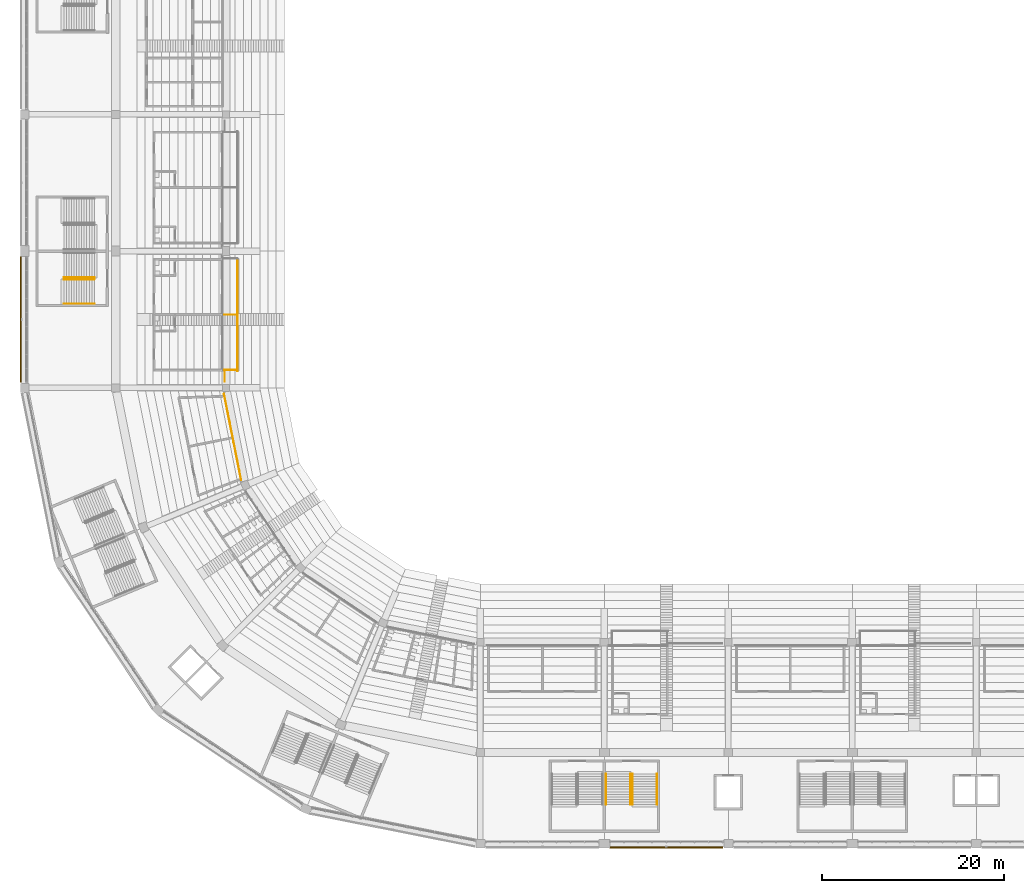
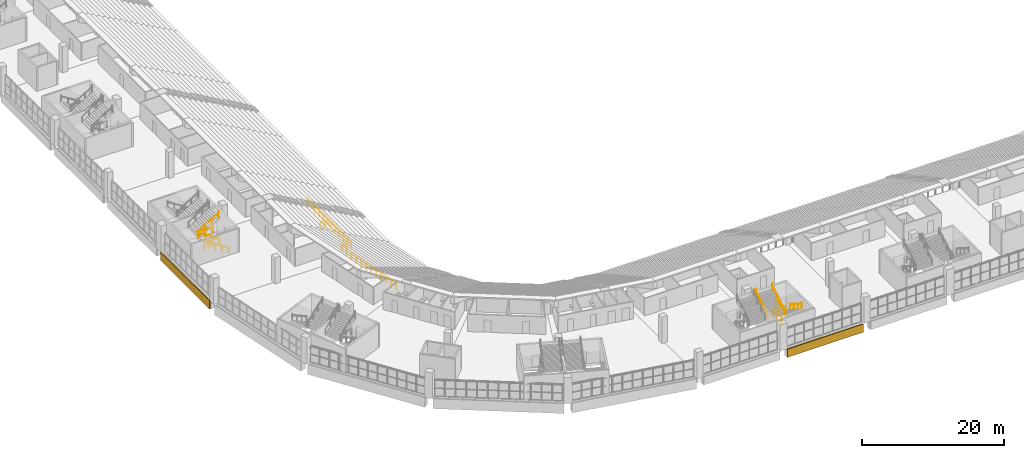
# One storey, part 234 of 249: 16 railings, 2 coverings.
"""IFC4 building model written with IfcOpenShell, lengths in metres."""

import ifcopenshell
import ifcopenshell.guid

model = None  # the IFC model being written
_history = None  # IfcOwnerHistory: only IFC2X3 demands one
_inside = {}  # id of a spatial element -> (the spatial element, [elements in it])
_under = {}  # id of a project, library or spatial element -> (it, [spatial elements below it])
_declared = {}  # id of a project -> (the project, [libraries it declares])
_typed = {}  # id of a type object -> (the type object, [elements of that type])
_made_of = {}  # id of a material, layer set ... -> (it, [elements and type objects made of it])


def new_model(schema):
    """Start an empty IFC model of exactly this schema.

    Asked for "IFC4X3", IfcOpenShell would pick the latest addendum, in which some entities
    have other attributes; the version numbers below select the first issue.
    IFC2X3 requires an IfcOwnerHistory on every rooted entity: one is made here for all.
    """
    global model, _history
    if schema == "IFC4X3":
        model = ifcopenshell.file(schema_version=(4, 3, 0, 0))
    else:
        model = ifcopenshell.file(schema=schema)
    _inside.clear()
    _under.clear()
    _declared.clear()
    _typed.clear()
    _made_of.clear()
    _history = None
    if model.schema == "IFC2X3":
        org = make("IfcOrganization", Name="unknown")
        user = make(
            "IfcPersonAndOrganization",
            ThePerson=make("IfcPerson", FamilyName="unknown"),
            TheOrganization=org,
        )
        app = make(
            "IfcApplication",
            ApplicationDeveloper=org,
            Version="unknown",
            ApplicationFullName="unknown",
            ApplicationIdentifier="unknown",
        )
        _history = make(
            "IfcOwnerHistory",
            OwningUser=user,
            OwningApplication=app,
            ChangeAction="ADDED",
            CreationDate=0,
        )
    return model


def make(cls, **values):
    """One entity of the class cls with the attributes given. An attribute that is None is left unset."""
    return model.create_entity(
        cls, **{name: value for name, value in values.items() if value is not None}
    )


def rooted(cls, **values):
    """An entity with a GlobalId (a new one), such as an element, a storey or a relation."""
    return make(cls, GlobalId=ifcopenshell.guid.new(), OwnerHistory=_history, **values)


def si_unit(unit_type, name, prefix=None):
    """IfcSIUnit, for example si_unit("LENGTHUNIT", "METRE", prefix="MILLI")."""
    return make("IfcSIUnit", UnitType=unit_type, Prefix=prefix, Name=name)


def assignment(units):
    """IfcUnitAssignment: the units of a project."""
    return None if units is None else make("IfcUnitAssignment", Units=units)


def point(xyz):
    """IfcCartesianPoint."""
    return None if xyz is None else make("IfcCartesianPoint", Coordinates=xyz)


def direction(xyz):
    """IfcDirection."""
    return None if xyz is None else make("IfcDirection", DirectionRatios=xyz)


def frame(location, z_axis=None, x_axis=None):
    """IfcAxis2Placement3D, a coordinate frame: its origin and axes. An axis left out is left unset."""
    return make(
        "IfcAxis2Placement3D",
        Location=point(location),
        Axis=direction(z_axis),
        RefDirection=direction(x_axis),
    )


def frame_2d(location, x_axis=None):
    """IfcAxis2Placement2D, a coordinate frame in the plane: its origin and x axis."""
    return make(
        "IfcAxis2Placement2D", Location=point(location), RefDirection=direction(x_axis)
    )


def origin():
    """The frame at (0, 0, 0) with its axes left unset."""
    return frame((0.0, 0.0, 0.0))


def origin_2d():
    """The frame at (0, 0) in the plane with its x axis left unset."""
    return frame_2d((0.0, 0.0))


def place(relative_to, where):
    """IfcLocalPlacement: puts the frame where relative to a parent placement (None: the world)."""
    return make(
        "IfcLocalPlacement", PlacementRelTo=relative_to, RelativePlacement=where
    )


def context(
    kind, dimensions, precision=None, world=None, true_north=None, identifier=None
):
    """IfcGeometricRepresentationContext, for example the 3D "Model" context."""
    return make(
        "IfcGeometricRepresentationContext",
        ContextIdentifier=identifier,
        ContextType=kind,
        CoordinateSpaceDimension=dimensions,
        Precision=precision,
        WorldCoordinateSystem=world,
        TrueNorth=true_north,
    )


def subcontext(parent, identifier, kind, view, scale=None):
    """IfcGeometricRepresentationSubContext, for example "Body" below "Model"."""
    return make(
        "IfcGeometricRepresentationSubContext",
        ContextIdentifier=identifier,
        ContextType=kind,
        ParentContext=parent,
        TargetScale=scale,
        TargetView=view,
    )


def project(units=None, contexts=None):
    """IfcProject with its units and contexts."""
    return rooted(
        "IfcProject",
        Name="project",
        RepresentationContexts=contexts,
        UnitsInContext=assignment(units),
    )


def spatial(cls, under=None, at=None, **own):
    """A site, building, storey or space (cls), placed at a placement, below another one or the project."""
    s = rooted(cls, ObjectPlacement=at, **own)
    if under is not None:
        _under.setdefault(under.id(), (under, []))[1].append(s)
    return s


def polyline(points):
    """IfcPolyline through the points."""
    return make("IfcPolyline", Points=[point(p) for p in points])


def profile(cls, at=None, kind="AREA", **sizes):
    """A parametric profile (cls). Its sizes go by their IFC names, for example OverallWidth=200.0."""
    return make(cls, ProfileType=kind, Position=at, **sizes)


def circle(**sizes):
    """IfcCircleProfileDef."""
    return profile("IfcCircleProfileDef", **sizes)


def outline(outer, holes=None, kind="AREA"):
    """IfcArbitraryClosedProfileDef: a profile drawn as a closed curve; with holes, ...WithVoids."""
    if holes is None:
        return make("IfcArbitraryClosedProfileDef", ProfileType=kind, OuterCurve=outer)
    return make(
        "IfcArbitraryProfileDefWithVoids",
        ProfileType=kind,
        OuterCurve=outer,
        InnerCurves=holes,
    )


def extrude(swept, where, along, depth):
    """IfcExtrudedAreaSolid: the profile swept, set in the frame where, extruded along a direction by depth."""
    return make(
        "IfcExtrudedAreaSolid",
        SweptArea=swept,
        Position=where,
        ExtrudedDirection=direction(along),
        Depth=depth,
    )


def shape(context_of_items, identifier, shape_type, items):
    """IfcShapeRepresentation: the items that make up one representation, for example the "Body"."""
    return make(
        "IfcShapeRepresentation",
        ContextOfItems=context_of_items,
        RepresentationIdentifier=identifier,
        RepresentationType=shape_type,
        Items=items,
    )


def material(Name=None, Category=None):
    """IfcMaterial."""
    return make("IfcMaterial", Name=Name, Category=Category)


def layer(
    of_material, thickness, ventilated=None, Name=None, Category=None, Priority=None
):
    """IfcMaterialLayer: one layer of a wall or slab, of a material (None: an air gap)."""
    return make(
        "IfcMaterialLayer",
        Material=of_material,
        LayerThickness=thickness,
        IsVentilated=ventilated,
        Name=Name,
        Category=Category,
        Priority=Priority,
    )


def layer_set(layers, Name=None):
    """IfcMaterialLayerSet."""
    return make("IfcMaterialLayerSet", MaterialLayers=layers, LayerSetName=Name)


def made_of(thing, what):
    """Note that an element or type object is made of a material, layer set ...; save() writes the relation."""
    if what is not None:
        _made_of.setdefault(what.id(), (what, []))[1].append(thing)
    return thing


def type_object(cls, material=None, **own):
    """A type object (cls), such as IfcWallType, which elements share."""
    return made_of(rooted(cls, **own), material)


def element(
    cls,
    number,
    at=None,
    inside=None,
    cuts=None,
    type_object=None,
    material=None,
    context=None,
    identifier="Body",
    shape_type=None,
    held_by="IfcProductDefinitionShape",
    body=None,
    shapes=None,
    **own,
):
    """One element of the class cls, such as IfcWall. Its Tag is "e" and its number.

    at: its placement. inside: the storey or other place that contains it. cuts: it is an
    opening in that element (IfcRelVoidsElement). A single representation is given by context,
    identifier, shape_type and body (its items); several are given by shapes. held_by: the class
    of the entity that holds the representations. save() writes the other relations.
    """
    e = rooted(cls, Tag="e%d" % number, ObjectPlacement=at, **own)
    if body is not None:
        shapes = [shape(context, identifier, shape_type, body)]
    if shapes is not None:
        e.Representation = make(held_by, Representations=shapes)
    if inside is not None:
        _inside.setdefault(inside.id(), (inside, []))[1].append(e)
    if cuts is not None:
        rooted(
            "IfcRelVoidsElement", RelatingBuildingElement=cuts, RelatedOpeningElement=e
        )
    if type_object is not None:
        _typed.setdefault(type_object.id(), (type_object, []))[1].append(e)
    return made_of(e, material)


def aggregate(whole, parts):
    """IfcRelAggregates: a whole, such as a stair, and the parts it consists of."""
    return rooted("IfcRelAggregates", RelatingObject=whole, RelatedObjects=parts)


def save(model, path):
    """Write the relations noted so far, then the file.

    IfcRelAggregates (storeys below a building ...), IfcRelContainedInSpatialStructure (elements
    in a storey), IfcRelDefinesByType, IfcRelAssociatesMaterial and IfcRelDeclares: one each for
    every whole, place, type object, material and project.
    """
    for whole, parts in _under.values():
        aggregate(whole, parts)
    for where, things in _inside.values():
        rooted(
            "IfcRelContainedInSpatialStructure",
            RelatedElements=things,
            RelatingStructure=where,
        )
    for kind, things in _typed.values():
        rooted("IfcRelDefinesByType", RelatedObjects=things, RelatingType=kind)
    for what, things in _made_of.values():
        rooted("IfcRelAssociatesMaterial", RelatedObjects=things, RelatingMaterial=what)
    for by, libraries in _declared.values():
        rooted("IfcRelDeclares", RelatingContext=by, RelatedDefinitions=libraries)
    model.write(path)


model = new_model("IFC4")

# Units and contexts
model_context = context("Model", 3, precision=1e-05, world=origin(), true_north=direction((0.0, 1.0)))
body_context = subcontext(model_context, "Body", "Model", "MODEL_VIEW")
ifc_project = project(units=[si_unit("LENGTHUNIT", "METRE"), si_unit("AREAUNIT", "SQUARE_METRE"), si_unit("VOLUMEUNIT", "CUBIC_METRE"), si_unit("PLANEANGLEUNIT", "RADIAN"), si_unit("MASSUNIT", "GRAM", prefix="KILO")], contexts=[model_context])

# Site, building, storey
site_placement = place(None, origin())
site = spatial("IfcSite", under=ifc_project, at=site_placement, CompositionType="ELEMENT")
building_placement = place(site_placement, origin())
building = spatial("IfcBuilding", under=site, at=building_placement, Name="Ogive Plaza Stadium", CompositionType="ELEMENT")
storey_placement = place(building_placement, frame((0.0, 0.0, 13.5)))
storey = spatial("IfcBuildingStorey", under=building, at=storey_placement, Name="L03", CompositionType="ELEMENT", Elevation=13.5)

# Railings
ifc_material_1 = material(Name="Steel ASTM A572 Grade 50", Category="steel")
railing_type_1 = type_object("IfcRailingType", Name="Guard 1100", PredefinedType="GUARDRAIL", material=ifc_material_1)
for number, where, name in (
    (1, (-17.425048828125, -94.85009765625, 0.0), "Stair well guard ST16B L03"),
    (2, (-17.425048828125, -95.81005859375, 2.25), "Stair well guard ST16B L03"),
):
    element("IfcRailing", number, at=place(storey_placement, frame(where)), inside=storey, type_object=railing_type_1, Name=name, PredefinedType="GUARDRAIL", context=body_context, shape_type="SweptSolid", body=[
        extrude(circle(Radius=0.02392578125, at=origin_2d()), frame((0.0, 0.0, 1.076171875), z_axis=(0.0, -1.0, 0.0), x_axis=(1.0, 0.0, 0.0)), (0.0, 0.0, 1.0), 2.39990234375),
        extrude(circle(Radius=0.02099609375, at=origin_2d()), origin(), (0.0, 0.0, 1.0), 1.052001953125),
        extrude(circle(Radius=0.02099609375, at=origin_2d()), frame((0.0, -1.199951171875, 0.0)), (0.0, 0.0, 1.0), 1.052001953125),
        extrude(circle(Radius=0.02099609375, at=origin_2d()), frame((0.0, -2.39990234375, 0.0)), (0.0, 0.0, 1.0), 1.052001953125),
    ])
for number, where, name in (
    (3, (-76.35009765625, -40.47509765625, 0.0), "Stair well guard ST22B L03"),
    (4, (-77.31005859375, -40.47509765625, 2.25), "Stair well guard ST22B L03"),
):
    element("IfcRailing", number, at=place(storey_placement, frame(where)), inside=storey, type_object=railing_type_1, Name=name, PredefinedType="GUARDRAIL", context=body_context, shape_type="SweptSolid", body=[
        extrude(circle(Radius=0.02392578125, at=origin_2d()), frame((0.0, 0.0, 1.076171875), z_axis=(-1.0, 0.0, 0.0), x_axis=(0.0, -1.0, 0.0)), (0.0, 0.0, 1.0), 2.39990234375),
        extrude(circle(Radius=0.02099609375, at=origin_2d()), origin(), (0.0, 0.0, 1.0), 1.052001953125),
        extrude(circle(Radius=0.02099609375, at=origin_2d()), frame((-1.199951171875, 0.0, 0.0)), (0.0, 0.0, 1.0), 1.052001953125),
        extrude(circle(Radius=0.02099609375, at=origin_2d()), frame((-2.39990234375, 0.0, 0.0)), (0.0, 0.0, 1.0), 1.052001953125),
    ])
railing_1_placement = place(storey_placement, frame((-60.236083984375, -62.624267578125, 0.0)))
element("IfcRailing", 5, at=railing_1_placement, inside=storey, type_object=railing_type_1, Name="Guard L03 B20", PredefinedType="GUARDRAIL", context=body_context, shape_type="SweptSolid", body=[
    extrude(circle(Radius=0.02392578125, at=origin_2d()), frame((0.0, 0.0, 1.076171875), z_axis=(-0.195106054289, 0.980782150928, 0.0), x_axis=(-0.980782150928, -0.195106054289, 0.0)), (0.0, 0.0, 1.0), 9.62255859375),
    extrude(circle(Radius=0.02099609375, at=origin_2d()), origin(), (0.0, 0.0, 1.0), 1.052001953125),
    extrude(circle(Radius=0.02099609375, at=origin_2d()), frame((-0.20849609375, 1.048583984375, 0.0)), (0.0, 0.0, 1.0), 1.052001953125),
    extrude(circle(Radius=0.02099609375, at=origin_2d()), frame((-0.417236328125, 2.09716796875, 0.0)), (0.0, 0.0, 1.0), 1.052001953125),
    extrude(circle(Radius=0.02099609375, at=origin_2d()), frame((-0.625732421875, 3.14599609375, 0.0)), (0.0, 0.0, 1.0), 1.052001953125),
    extrude(circle(Radius=0.02099609375, at=origin_2d()), frame((-0.83447265625, 4.194580078125, 0.0)), (0.0, 0.0, 1.0), 1.052001953125),
    extrude(circle(Radius=0.02099609375, at=origin_2d()), frame((-1.04296875, 5.2431640625, 0.0)), (0.0, 0.0, 1.0), 1.052001953125),
    extrude(circle(Radius=0.02099609375, at=origin_2d()), frame((-1.251708984375, 6.291748046875, 0.0)), (0.0, 0.0, 1.0), 1.052001953125),
    extrude(circle(Radius=0.02099609375, at=origin_2d()), frame((-1.460205078125, 7.340576171875, 0.0)), (0.0, 0.0, 1.0), 1.052001953125),
    extrude(circle(Radius=0.02099609375, at=origin_2d()), frame((-1.6689453125, 8.38916015625, 0.0)), (0.0, 0.0, 1.0), 1.052001953125),
    extrude(circle(Radius=0.02099609375, at=origin_2d()), frame((-1.87744140625, 9.437744140625, 0.0)), (0.0, 0.0, 1.0), 1.052001953125),
])
railing_2_placement = place(storey_placement, frame((-60.64990234375, -38.324951171875, 0.0)))
element("IfcRailing", 6, at=railing_2_placement, inside=storey, type_object=railing_type_1, Name="Terrace guard B21", PredefinedType="GUARDRAIL", context=body_context, shape_type="SweptSolid", body=[
    extrude(circle(Radius=0.02392578125, at=origin_2d()), frame((0.0, 0.0, 1.076171875), z_axis=(0.0, -1.0, 0.0), x_axis=(1.0, 0.0, 0.0)), (0.0, 0.0, 1.0), 12.300048828125),
    extrude(circle(Radius=0.02099609375, at=origin_2d()), origin(), (0.0, 0.0, 1.0), 1.052001953125),
    extrude(circle(Radius=0.02099609375, at=origin_2d()), frame((0.0, -1.1181640625, 0.0)), (0.0, 0.0, 1.0), 1.052001953125),
    extrude(circle(Radius=0.02099609375, at=origin_2d()), frame((0.0, -2.236328125, 0.0)), (0.0, 0.0, 1.0), 1.052001953125),
    extrude(circle(Radius=0.02099609375, at=origin_2d()), frame((0.0, -3.3544921875, 0.0)), (0.0, 0.0, 1.0), 1.052001953125),
    extrude(circle(Radius=0.02099609375, at=origin_2d()), frame((0.0, -4.47265625, 0.0)), (0.0, 0.0, 1.0), 1.052001953125),
    extrude(circle(Radius=0.02099609375, at=origin_2d()), frame((0.0, -5.5908203125, 0.0)), (0.0, 0.0, 1.0), 1.052001953125),
    extrude(circle(Radius=0.02099609375, at=origin_2d()), frame((0.0, -6.709228515625, 0.0)), (0.0, 0.0, 1.0), 1.052001953125),
    extrude(circle(Radius=0.02099609375, at=origin_2d()), frame((0.0, -7.827392578125, 0.0)), (0.0, 0.0, 1.0), 1.052001953125),
    extrude(circle(Radius=0.02099609375, at=origin_2d()), frame((0.0, -8.945556640625, 0.0)), (0.0, 0.0, 1.0), 1.052001953125),
    extrude(circle(Radius=0.02099609375, at=origin_2d()), frame((0.0, -10.063720703125, 0.0)), (0.0, 0.0, 1.0), 1.052001953125),
    extrude(circle(Radius=0.02099609375, at=origin_2d()), frame((0.0, -11.181884765625, 0.0)), (0.0, 0.0, 1.0), 1.052001953125),
    extrude(circle(Radius=0.02099609375, at=origin_2d()), frame((0.0, -12.300048828125, 0.0)), (0.0, 0.0, 1.0), 1.052001953125),
])
railing_3_placement = place(storey_placement, frame((-62.050048828125, -50.625, 0.0)))
element("IfcRailing", 7, at=railing_3_placement, inside=storey, type_object=railing_type_1, Name="Floor edge guard B21", PredefinedType="GUARDRAIL", context=body_context, shape_type="SweptSolid", body=[
    extrude(circle(Radius=0.02392578125, at=origin_2d()), frame((0.0, 0.0, 1.076171875), z_axis=(0.0, -1.0, 0.0), x_axis=(1.0, 0.0, 0.0)), (0.0, 0.0, 1.0), 1.175048828125),
    extrude(circle(Radius=0.02099609375, at=origin_2d()), origin(), (0.0, 0.0, 1.0), 1.052001953125),
    extrude(circle(Radius=0.02099609375, at=origin_2d()), frame((0.0, -1.175048828125, 0.0)), (0.0, 0.0, 1.0), 1.052001953125),
])
for number, where, name in (
    (8, (-60.64990234375, -44.47509765625, 0.0), "Terrace screen B21"),
    (9, (-60.64990234375, -50.550048828125, 0.0), "Terrace screen B21"),
):
    element("IfcRailing", number, at=place(storey_placement, frame(where)), inside=storey, type_object=railing_type_1, Name=name, PredefinedType="GUARDRAIL", context=body_context, shape_type="SweptSolid", body=[
        extrude(circle(Radius=0.02392578125, at=origin_2d()), frame((0.0, 0.0, 1.076171875), z_axis=(-1.0, 0.0, 0.0), x_axis=(0.0, -1.0, 0.0)), (0.0, 0.0, 1.0), 1.4501953125),
        extrude(circle(Radius=0.02099609375, at=origin_2d()), origin(), (0.0, 0.0, 1.0), 1.052001953125),
        extrude(circle(Radius=0.02099609375, at=origin_2d()), frame((-0.72509765625, 0.0, 0.0)), (0.0, 0.0, 1.0), 1.052001953125),
        extrude(circle(Radius=0.02099609375, at=origin_2d()), frame((-1.4501953125, 0.0, 0.0)), (0.0, 0.0, 1.0), 1.052001953125),
    ])
ifc_material_2 = material(Name="Steel ASTM A572 Grade 50", Category="steel")
railing_type_2 = type_object("IfcRailingType", Name="Handrail 900", PredefinedType="HANDRAIL", material=ifc_material_2)
for number, where, name in (
    (10, (-17.31494140625, -94.85009765625, 0.173095703125), "Handrail ST16B L03"),
    (11, (-14.635009765625, -94.85009765625, 0.173095703125), "Handrail ST16B L03"),
):
    element("IfcRailing", number, at=place(storey_placement, frame(where)), inside=storey, type_object=railing_type_2, Name=name, PredefinedType="HANDRAIL", context=body_context, shape_type="SweptSolid", body=[
        extrude(circle(Radius=0.02392578125, at=origin_2d()), frame((0.0, 0.0, 0.8759765625), z_axis=(0.0, -0.850606129759, 0.525803396734), x_axis=(1.0, 0.0, 0.0)), (0.0, 0.0, 1.0), 3.949951171875),
        extrude(circle(Radius=0.02099609375, at=origin_2d()), origin(), (0.0, 0.0, 1.0), 0.851806640625),
        extrude(circle(Radius=0.02099609375, at=origin_2d()), frame((0.0, -1.119873046875, 0.6923828125)), (0.0, 0.0, 1.0), 0.851806640625),
        extrude(circle(Radius=0.02099609375, at=origin_2d()), frame((0.0, -2.239990234375, 1.384521484375)), (0.0, 0.0, 1.0), 0.851806640625),
        extrude(circle(Radius=0.02099609375, at=origin_2d()), frame((0.0, -3.35986328125, 2.076904296875)), (0.0, 0.0, 1.0), 1.10009765625),
    ])
for number, where, name in (
    (12, (-20.215087890625, -98.2099609375, 2.423095703125), "Handrail ST16B L03"),
    (13, (-17.534912109375, -98.2099609375, 2.423095703125), "Handrail ST16B L03"),
):
    element("IfcRailing", number, at=place(storey_placement, frame(where)), inside=storey, type_object=railing_type_2, Name=name, PredefinedType="HANDRAIL", context=body_context, shape_type="SweptSolid", body=[
        extrude(circle(Radius=0.02392578125, at=origin_2d()), frame((0.0, 0.0, 0.8759765625), z_axis=(0.0, 0.850606129759, 0.525803396734), x_axis=(-1.0, 0.0, 0.0)), (0.0, 0.0, 1.0), 3.949951171875),
        extrude(circle(Radius=0.02099609375, at=origin_2d()), origin(), (0.0, 0.0, 1.0), 0.851806640625),
        extrude(circle(Radius=0.02099609375, at=origin_2d()), frame((0.0, 1.119873046875, 0.6923828125)), (0.0, 0.0, 1.0), 0.851806640625),
        extrude(circle(Radius=0.02099609375, at=origin_2d()), frame((0.0, 2.239990234375, 1.384521484375)), (0.0, 0.0, 1.0), 0.851806640625),
        extrude(circle(Radius=0.02099609375, at=origin_2d()), frame((0.0, 3.35986328125, 2.076904296875)), (0.0, 0.0, 1.0), 1.10009765625),
    ])
for number, where, name in (
    (14, (-76.35009765625, -40.5849609375, 0.173095703125), "Handrail ST22B L03"),
    (15, (-76.35009765625, -43.264892578125, 0.173095703125), "Handrail ST22B L03"),
):
    element("IfcRailing", number, at=place(storey_placement, frame(where)), inside=storey, type_object=railing_type_2, Name=name, PredefinedType="HANDRAIL", context=body_context, shape_type="SweptSolid", body=[
        extrude(circle(Radius=0.02392578125, at=origin_2d()), frame((0.0, 0.0, 0.8759765625), z_axis=(-0.850606129759, 0.0, 0.525803396734), x_axis=(0.0, -1.0, 0.0)), (0.0, 0.0, 1.0), 3.949951171875),
        extrude(circle(Radius=0.02099609375, at=origin_2d()), origin(), (0.0, 0.0, 1.0), 0.851806640625),
        extrude(circle(Radius=0.02099609375, at=origin_2d()), frame((-1.119873046875, 0.0, 0.6923828125)), (0.0, 0.0, 1.0), 0.851806640625),
        extrude(circle(Radius=0.02099609375, at=origin_2d()), frame((-2.239990234375, 0.0, 1.384521484375)), (0.0, 0.0, 1.0), 0.851806640625),
        extrude(circle(Radius=0.02099609375, at=origin_2d()), frame((-3.35986328125, 0.0, 2.076904296875)), (0.0, 0.0, 1.0), 1.10009765625),
    ])
railing_4_placement = place(storey_placement, frame((-79.7099609375, -40.364990234375, 2.423095703125)))
element("IfcRailing", 16, at=railing_4_placement, inside=storey, type_object=railing_type_2, Name="Handrail ST22B L03", PredefinedType="HANDRAIL", context=body_context, shape_type="SweptSolid", body=[
    extrude(circle(Radius=0.02392578125, at=origin_2d()), frame((0.0, 0.0, 0.8759765625), z_axis=(0.850606129759, 0.0, 0.525803396734), x_axis=(0.0, 1.0, 0.0)), (0.0, 0.0, 1.0), 3.949951171875),
    extrude(circle(Radius=0.02099609375, at=origin_2d()), origin(), (0.0, 0.0, 1.0), 0.851806640625),
    extrude(circle(Radius=0.02099609375, at=origin_2d()), frame((1.119873046875, 0.0, 0.6923828125)), (0.0, 0.0, 1.0), 0.851806640625),
    extrude(circle(Radius=0.02099609375, at=origin_2d()), frame((2.239990234375, 0.0, 1.384521484375)), (0.0, 0.0, 1.0), 0.851806640625),
    extrude(circle(Radius=0.02099609375, at=origin_2d()), frame((3.35986328125, 0.0, 2.076904296875)), (0.0, 0.0, 1.0), 1.10009765625),
])

# Coverings
ifc_material_3 = material(Name="Cast stone (reconstituted limestone)", Category="masonry")
ifc_layer = layer(ifc_material_3, 0.159912109375)
ifc_layer_set = layer_set([ifc_layer], Name="Precast spandrel cladding 160")
covering_type = type_object("IfcCoveringType", Name="Precast spandrel cladding 160", PredefinedType="CLADDING", material=ifc_layer_set)
covering_1_placement = place(storey_placement, frame((0.0, 0.0, -1.409912109375)))
element("IfcCovering", 17, at=covering_1_placement, inside=storey, type_object=covering_type, Name="SPANDREL CLADDING B15 L03", PredefinedType="CLADDING", context=body_context, shape_type="SweptSolid", body=[
    extrude(outline(polyline([(-7.39990234375, -102.85009765625), (-19.800048828125, -102.85009765625), (-19.800048828125, -103.010009765625), (-7.39990234375, -103.010009765625), (-7.39990234375, -102.85009765625)])), origin(), (0.0, 0.0, 1.0), 1.409912109375),
])
covering_2_placement = place(storey_placement, frame((0.0, 0.0, -1.409912109375)))
element("IfcCovering", 18, at=covering_2_placement, inside=storey, type_object=covering_type, Name="SPANDREL CLADDING B21 L03", PredefinedType="CLADDING", context=body_context, shape_type="SweptSolid", body=[
    extrude(outline(polyline([(-84.35009765625, -51.89990234375), (-84.35009765625, -38.10009765625), (-84.510009765625, -38.10009765625), (-84.510009765625, -51.89990234375), (-84.35009765625, -51.89990234375)])), origin(), (0.0, 0.0, 1.0), 1.409912109375),
])

save(model, "model.ifc")
